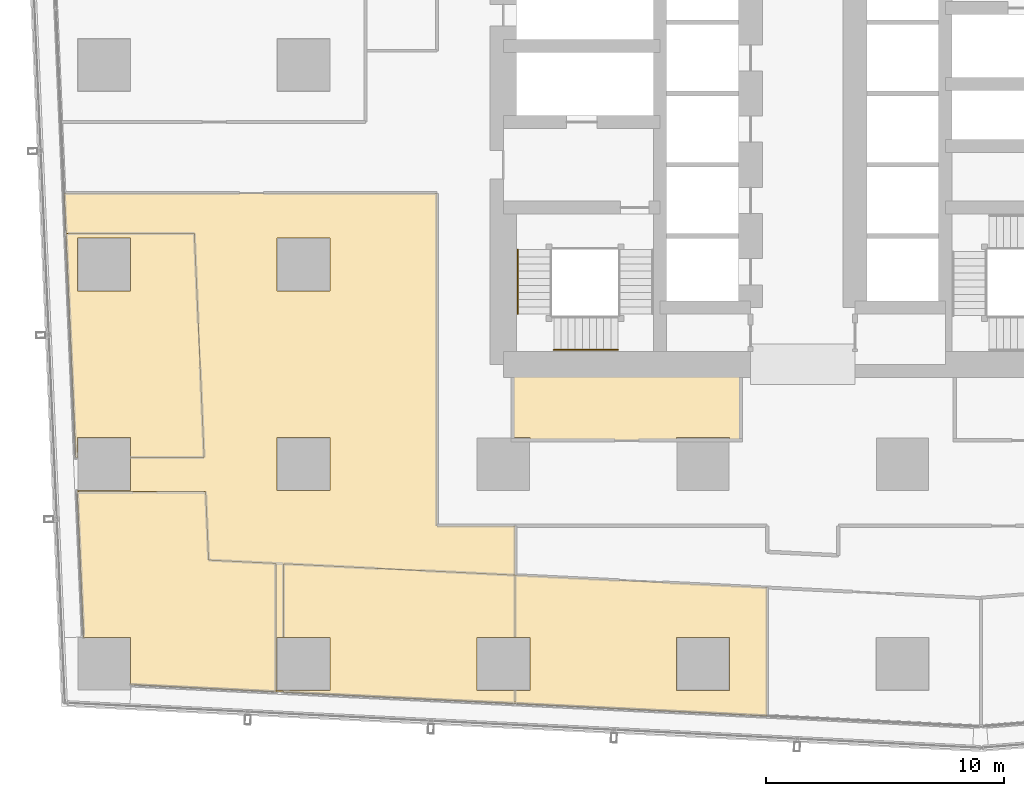
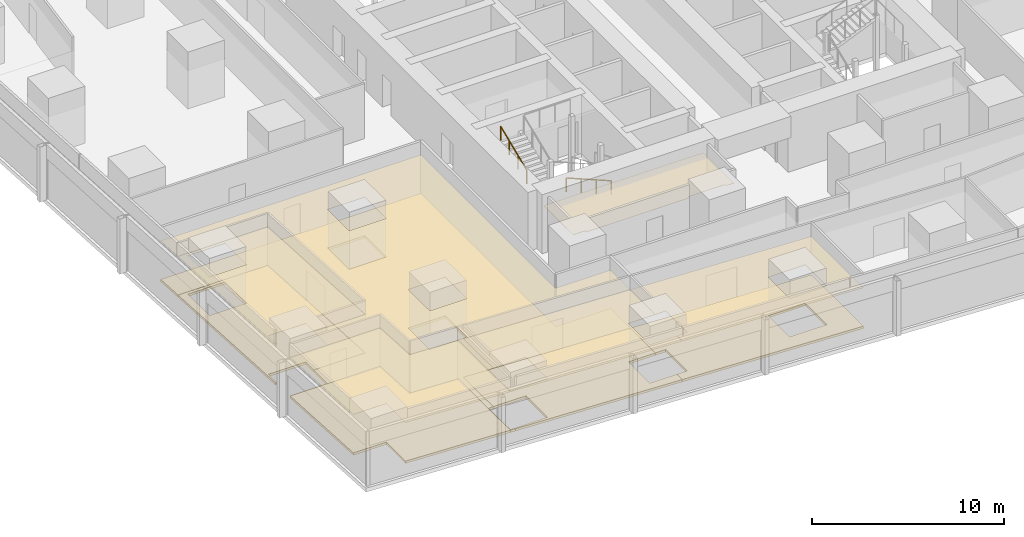
# One storey, part 36 of 44: 11 coverings, 2 railings.
"""IFC4 building model written with IfcOpenShell, lengths in metres."""

from ifc_helpers import new_model, si_unit, direction, frame, origin, origin_2d, place, context, subcontext, project, spatial, polyline, circle, outline, extrude, material, layer, layer_set, type_object, element, save


model = new_model("IFC4")

# Units and contexts
model_context = context("Model", 3, precision=1e-05, world=origin(), true_north=direction((0.0, 1.0)))
body_context = subcontext(model_context, "Body", "Model", "MODEL_VIEW")
ifc_project = project(units=[si_unit("LENGTHUNIT", "METRE"), si_unit("AREAUNIT", "SQUARE_METRE"), si_unit("VOLUMEUNIT", "CUBIC_METRE"), si_unit("PLANEANGLEUNIT", "RADIAN"), si_unit("MASSUNIT", "GRAM", prefix="KILO")], contexts=[model_context])

# Site, building, storey
site_placement = place(None, origin())
site = spatial("IfcSite", under=ifc_project, at=site_placement, CompositionType="ELEMENT")
building_placement = place(site_placement, origin())
building = spatial("IfcBuilding", under=site, at=building_placement, Name="Rekha Terrace Tower", CompositionType="ELEMENT")
storey_placement = place(building_placement, frame((0.0, 0.0, 74.14990234375)))
storey = spatial("IfcBuildingStorey", under=building, at=storey_placement, Name="L18", CompositionType="ELEMENT", Elevation=74.14990234375)

# Coverings
ifc_material_1 = material(Name="Mineral fibre tile in exposed grid", Category="finish")
ifc_layer_1 = layer(ifc_material_1, 0.02001953125)
ifc_layer_set_1 = layer_set([ifc_layer_1], Name="Mineral fibre tile in exposed grid")
covering_type_1 = type_object("IfcCoveringType", Name="CL1 600x1200 office grid ceiling", PredefinedType="CEILING", material=ifc_layer_set_1)
covering_1_placement = place(storey_placement, frame((0.0, 0.0, 2.580078125)))
element("IfcCovering", 1, at=covering_1_placement, inside=storey, type_object=covering_type_1, Name="Ceiling L18-06", PredefinedType="CEILING", context=body_context, shape_type="SweptSolid", body=[
    extrude(outline(polyline([(36.298095703125, 6.202880859375), (36.298095703125, 11.60888671875), (25.697021484375, 12.1298828125), (25.697021484375, 9.514892578125), (26.31494140625, 9.514892578125), (26.31494140625, 7.284912109375), (25.697021484375, 7.284912109375), (25.697021484375, 6.722900390625), (36.298095703125, 6.202880859375)]), holes=[polyline([(34.715087890625, 7.284912109375), (32.485107421875, 7.284912109375), (32.485107421875, 9.514892578125), (34.715087890625, 9.514892578125), (34.715087890625, 7.284912109375)])]), origin(), (0.0, 0.0, 1.0), 0.02001953125),
])
covering_2_placement = place(storey_placement, frame((0.0, 0.0, 2.580078125)))
element("IfcCovering", 2, at=covering_2_placement, inside=storey, type_object=covering_type_1, Name="Ceiling L18-20", PredefinedType="CEILING", context=body_context, shape_type="SweptSolid", body=[
    extrude(outline(polyline([(9.514892578125, 17.080078125), (12.60791015625, 17.080078125), (12.196044921875, 26.511962890625), (6.791015625, 26.511962890625), (7.202880859375, 17.080078125), (7.284912109375, 17.080078125), (7.284912109375, 17.9150390625), (9.514892578125, 17.9150390625), (9.514892578125, 17.080078125)]), holes=[polyline([(9.514892578125, 24.0849609375), (7.284912109375, 24.0849609375), (7.284912109375, 26.31494140625), (9.514892578125, 26.31494140625), (9.514892578125, 24.0849609375)])]), origin(), (0.0, 0.0, 1.0), 0.02001953125),
])
covering_3_placement = place(storey_placement, frame((0.0, 0.0, 2.580078125)))
element("IfcCovering", 3, at=covering_3_placement, inside=storey, type_object=covering_type_1, Name="Ceiling L18-21", PredefinedType="CEILING", context=body_context, shape_type="SweptSolid", body=[
    extrude(outline(polyline([(12.797119140625, 12.762939453125), (12.6708984375, 15.64306640625), (7.26611328125, 15.64306640625), (7.533935546875, 9.514892578125), (9.514892578125, 9.514892578125), (9.514892578125, 7.51806640625), (15.64208984375, 7.217041015625), (15.64208984375, 12.623046875), (12.797119140625, 12.762939453125)])), origin(), (0.0, 0.0, 1.0), 0.02001953125),
])
covering_4_placement = place(storey_placement, frame((0.0, 0.0, 2.580078125)))
element("IfcCovering", 4, at=covering_4_placement, inside=storey, type_object=covering_type_1, Name="Ceiling L18-22", PredefinedType="CEILING", context=body_context, shape_type="SweptSolid", body=[
    extrude(outline(polyline([(25.696044921875, 9.514892578125), (25.696044921875, 12.1298828125), (15.94091796875, 12.60888671875), (15.94091796875, 9.514892578125), (17.9150390625, 9.514892578125), (17.9150390625, 7.284912109375), (15.94091796875, 7.284912109375), (15.94091796875, 7.201904296875), (25.696044921875, 6.722900390625), (25.696044921875, 7.284912109375), (24.0849609375, 7.284912109375), (24.0849609375, 9.514892578125), (25.696044921875, 9.514892578125)])), origin(), (0.0, 0.0, 1.0), 0.02001953125),
])
covering_5_placement = place(storey_placement, frame((0.0, 0.0, 2.580078125)))
element("IfcCovering", 5, at=covering_5_placement, inside=storey, type_object=covering_type_1, Name="Ceiling L18-O4", PredefinedType="CEILING", context=body_context, shape_type="SweptSolid", body=[
    extrude(outline(polyline([(9.514892578125, 15.68505859375), (7.263916015625, 15.68505859375), (7.26611328125, 15.64306640625), (12.6708984375, 15.64306640625), (12.797119140625, 12.762939453125), (15.64208984375, 12.623046875), (15.64208984375, 7.217041015625), (15.94091796875, 7.201904296875), (15.94091796875, 7.284912109375), (15.68505859375, 7.284912109375), (15.68505859375, 9.514892578125), (15.94091796875, 9.514892578125), (15.94091796875, 12.60888671875), (25.696044921875, 12.1298828125), (25.696044921875, 14.199951171875), (22.39990234375, 14.199951171875), (22.39990234375, 28.199951171875), (6.717041015625, 28.199951171875), (6.791015625, 26.511962890625), (12.196044921875, 26.511962890625), (12.60791015625, 17.080078125), (9.514892578125, 17.080078125), (9.514892578125, 15.68505859375)]), holes=[polyline([(17.9150390625, 15.68505859375), (15.68505859375, 15.68505859375), (15.68505859375, 17.9150390625), (17.9150390625, 17.9150390625), (17.9150390625, 15.68505859375)]), polyline([(17.9150390625, 24.0849609375), (15.68505859375, 24.0849609375), (15.68505859375, 26.31494140625), (17.9150390625, 26.31494140625), (17.9150390625, 24.0849609375)])]), origin(), (0.0, 0.0, 1.0), 0.02001953125),
])
ifc_material_2 = material(Name="Fibre cement board", Category="finish")
ifc_layer_2 = layer(ifc_material_2, 0.014892578125)
ifc_layer_set_2 = layer_set([ifc_layer_2], Name="Fibre cement board")
covering_type_2 = type_object("IfcCoveringType", Name="CL2 moisture-resistant board ceiling", PredefinedType="CEILING", material=ifc_layer_set_2)
covering_6_placement = place(storey_placement, frame((0.0, 0.0, 2.585205078125)))
element("IfcCovering", 6, at=covering_6_placement, inside=storey, type_object=covering_type_2, Name="Ceiling L18-WCM", PredefinedType="CEILING", context=body_context, shape_type="SweptSolid", body=[
    extrude(outline(polyline([(35.199951171875, 21.0), (25.60009765625, 21.0), (25.60009765625, 17.9150390625), (26.31494140625, 17.9150390625), (26.31494140625, 17.800048828125), (32.485107421875, 17.800048828125), (32.485107421875, 17.9150390625), (34.715087890625, 17.9150390625), (34.715087890625, 17.800048828125), (35.199951171875, 17.800048828125), (35.199951171875, 21.0)])), origin(), (0.0, 0.0, 1.0), 0.014892578125),
])

# Railings
ifc_material_3 = material(Name="Stainless steel tube", Category="steel")
railing_type = type_object("IfcRailingType", Name="HR1 900 stair handrail", PredefinedType="HANDRAIL", material=ifc_material_3)
railing_1_placement = place(storey_placement, frame((30.02490234375, 21.610107421875, 1.375)))
element("IfcRailing", 7, at=railing_1_placement, inside=storey, type_object=railing_type, Name="Handrail ST1 L18 flight 2", PredefinedType="HANDRAIL", context=body_context, shape_type="SweptSolid", body=[
    extrude(circle(Radius=0.02392578125, at=origin_2d()), frame((0.0, 0.0, 0.8759765625), z_axis=(-0.923074453586, 0.0, 0.384621311341), x_axis=(0.0, -1.0, 0.0)), (0.0, 0.0, 1.0), 2.925048828125),
    extrude(circle(Radius=0.02099609375, at=origin_2d()), origin(), (0.0, 0.0, 1.0), 0.851806640625),
    extrude(circle(Radius=0.02099609375, at=origin_2d()), frame((-0.89990234375, 0.0, 0.375)), (0.0, 0.0, 1.0), 0.851806640625),
    extrude(circle(Radius=0.02099609375, at=origin_2d()), frame((-1.800048828125, 0.0, 0.75)), (0.0, 0.0, 1.0), 0.851806640625),
    extrude(circle(Radius=0.02099609375, at=origin_2d()), frame((-2.699951171875, 0.0, 1.125)), (0.0, 0.0, 1.0), 0.851806640625),
])
railing_2_placement = place(storey_placement, frame((25.81005859375, 23.125, 2.625)))
element("IfcRailing", 8, at=railing_2_placement, inside=storey, type_object=railing_type, Name="Handrail ST1 L18 flight 3", PredefinedType="HANDRAIL", context=body_context, shape_type="SweptSolid", body=[
    extrude(circle(Radius=0.02392578125, at=origin_2d()), frame((0.0, 0.0, 0.8759765625), z_axis=(0.0, 0.923074453586, 0.384621311341), x_axis=(-1.0, 0.0, 0.0)), (0.0, 0.0, 1.0), 2.925048828125),
    extrude(circle(Radius=0.02099609375, at=origin_2d()), origin(), (0.0, 0.0, 1.0), 0.851806640625),
    extrude(circle(Radius=0.02099609375, at=origin_2d()), frame((0.0, 0.89990234375, 0.375)), (0.0, 0.0, 1.0), 0.851806640625),
    extrude(circle(Radius=0.02099609375, at=origin_2d()), frame((0.0, 1.800048828125, 0.75)), (0.0, 0.0, 1.0), 0.851806640625),
    extrude(circle(Radius=0.02099609375, at=origin_2d()), frame((0.0, 2.699951171875, 1.125)), (0.0, 0.0, 1.0), 0.851806640625),
])

# Coverings
ifc_material_4 = material(Name="Calcium sulphate panels on steel pedestals", Category="steel")
ifc_layer_3 = layer(ifc_material_4, 0.14990234375)
ifc_layer_set_3 = layer_set([ifc_layer_3], Name="Calcium sulphate panels on steel pedestals")
covering_type_3 = type_object("IfcCoveringType", Name="RF1 150 raised access floor", PredefinedType="FLOORING", material=ifc_layer_set_3)
covering_7_placement = place(storey_placement, origin())
element("IfcCovering", 9, at=covering_7_placement, inside=storey, type_object=covering_type_3, Name="Raised floor L18-06", PredefinedType="FLOORING", context=body_context, shape_type="SweptSolid", body=[
    extrude(outline(polyline([(36.298095703125, 6.202880859375), (36.298095703125, 11.60888671875), (25.697021484375, 12.1298828125), (25.697021484375, 9.514892578125), (26.31494140625, 9.514892578125), (26.31494140625, 7.284912109375), (25.697021484375, 7.284912109375), (25.697021484375, 6.722900390625), (36.298095703125, 6.202880859375)]), holes=[polyline([(34.715087890625, 7.284912109375), (32.485107421875, 7.284912109375), (32.485107421875, 9.514892578125), (34.715087890625, 9.514892578125), (34.715087890625, 7.284912109375)])]), origin(), (0.0, 0.0, 1.0), 0.150146484375),
])
covering_8_placement = place(storey_placement, origin())
element("IfcCovering", 10, at=covering_8_placement, inside=storey, type_object=covering_type_3, Name="Raised floor L18-20", PredefinedType="FLOORING", context=body_context, shape_type="SweptSolid", body=[
    extrude(outline(polyline([(9.514892578125, 17.080078125), (12.60791015625, 17.080078125), (12.196044921875, 26.511962890625), (6.791015625, 26.511962890625), (7.202880859375, 17.080078125), (7.284912109375, 17.080078125), (7.284912109375, 17.9150390625), (9.514892578125, 17.9150390625), (9.514892578125, 17.080078125)]), holes=[polyline([(9.514892578125, 24.0849609375), (7.284912109375, 24.0849609375), (7.284912109375, 26.31494140625), (9.514892578125, 26.31494140625), (9.514892578125, 24.0849609375)])]), origin(), (0.0, 0.0, 1.0), 0.150146484375),
])
covering_9_placement = place(storey_placement, origin())
element("IfcCovering", 11, at=covering_9_placement, inside=storey, type_object=covering_type_3, Name="Raised floor L18-21", PredefinedType="FLOORING", context=body_context, shape_type="SweptSolid", body=[
    extrude(outline(polyline([(12.797119140625, 12.762939453125), (12.6708984375, 15.64306640625), (7.26611328125, 15.64306640625), (7.533935546875, 9.514892578125), (9.514892578125, 9.514892578125), (9.514892578125, 7.51806640625), (15.64208984375, 7.217041015625), (15.64208984375, 12.623046875), (12.797119140625, 12.762939453125)])), origin(), (0.0, 0.0, 1.0), 0.150146484375),
])
covering_10_placement = place(storey_placement, origin())
element("IfcCovering", 12, at=covering_10_placement, inside=storey, type_object=covering_type_3, Name="Raised floor L18-22", PredefinedType="FLOORING", context=body_context, shape_type="SweptSolid", body=[
    extrude(outline(polyline([(25.696044921875, 9.514892578125), (25.696044921875, 12.1298828125), (15.94091796875, 12.60888671875), (15.94091796875, 9.514892578125), (17.9150390625, 9.514892578125), (17.9150390625, 7.284912109375), (15.94091796875, 7.284912109375), (15.94091796875, 7.201904296875), (25.696044921875, 6.722900390625), (25.696044921875, 7.284912109375), (24.0849609375, 7.284912109375), (24.0849609375, 9.514892578125), (25.696044921875, 9.514892578125)])), origin(), (0.0, 0.0, 1.0), 0.150146484375),
])
covering_11_placement = place(storey_placement, origin())
element("IfcCovering", 13, at=covering_11_placement, inside=storey, type_object=covering_type_3, Name="Raised floor L18-O4", PredefinedType="FLOORING", context=body_context, shape_type="SweptSolid", body=[
    extrude(outline(polyline([(9.514892578125, 15.68505859375), (7.263916015625, 15.68505859375), (7.26611328125, 15.64306640625), (12.6708984375, 15.64306640625), (12.797119140625, 12.762939453125), (15.64208984375, 12.623046875), (15.64208984375, 7.217041015625), (15.94091796875, 7.201904296875), (15.94091796875, 7.284912109375), (15.68505859375, 7.284912109375), (15.68505859375, 9.514892578125), (15.94091796875, 9.514892578125), (15.94091796875, 12.60888671875), (25.696044921875, 12.1298828125), (25.696044921875, 14.199951171875), (22.39990234375, 14.199951171875), (22.39990234375, 28.199951171875), (6.717041015625, 28.199951171875), (6.791015625, 26.511962890625), (12.196044921875, 26.511962890625), (12.60791015625, 17.080078125), (9.514892578125, 17.080078125), (9.514892578125, 15.68505859375)]), holes=[polyline([(17.9150390625, 15.68505859375), (15.68505859375, 15.68505859375), (15.68505859375, 17.9150390625), (17.9150390625, 17.9150390625), (17.9150390625, 15.68505859375)]), polyline([(17.9150390625, 24.0849609375), (15.68505859375, 24.0849609375), (15.68505859375, 26.31494140625), (17.9150390625, 26.31494140625), (17.9150390625, 24.0849609375)])]), origin(), (0.0, 0.0, 1.0), 0.150146484375),
])

save(model, "model.ifc")
